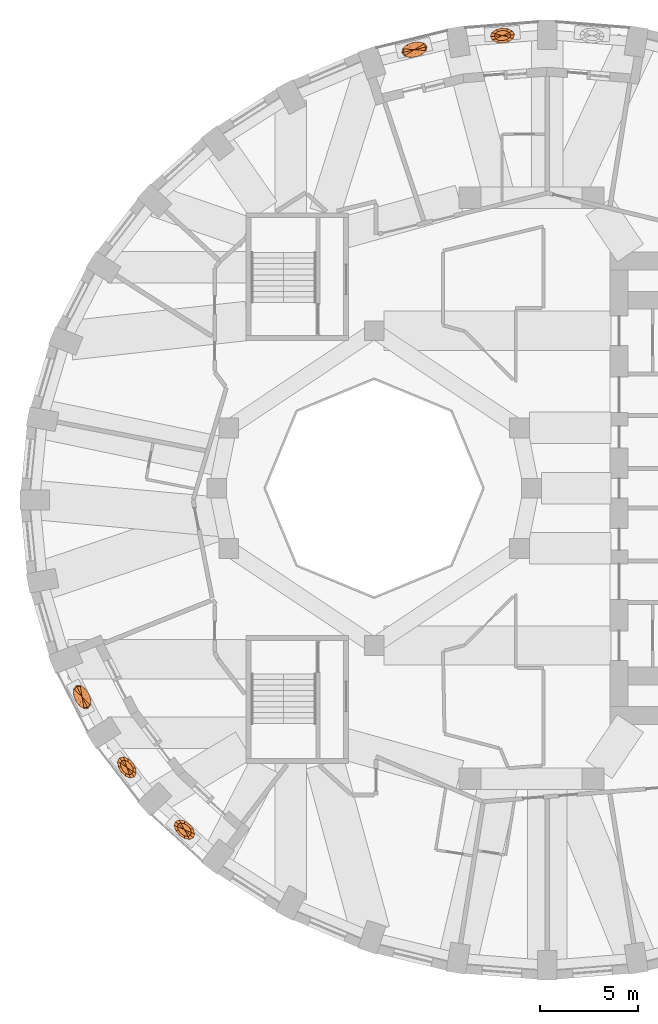
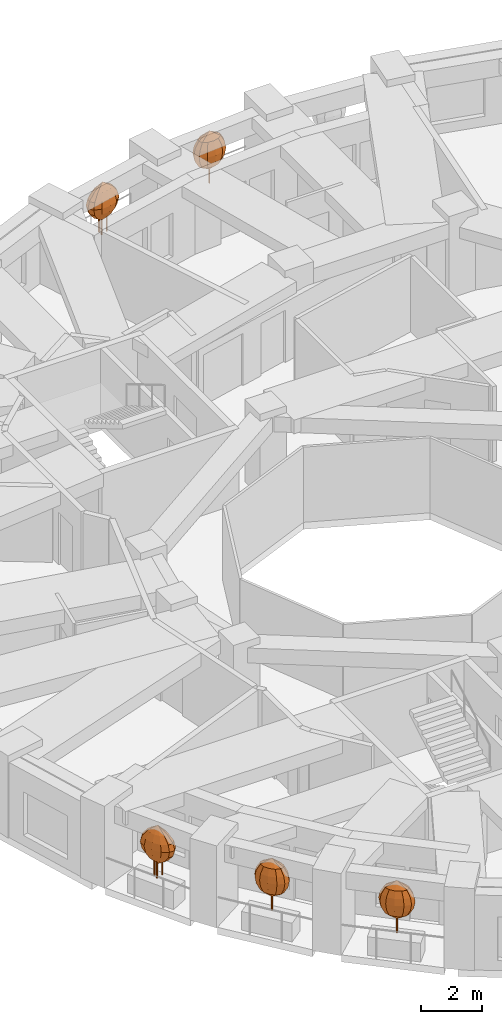
# One storey, part 11 of 12: 5 geographic elements.
"""IFC4 building model written with IfcOpenShell, lengths in metres."""

from ifc_helpers import new_model, si_unit, direction, frame, origin, place, context, subcontext, project, spatial, faceted_brep, material, constituent, constituent_set, type_object, element, save


model = new_model("IFC4")

# Units and contexts
model_context = context("Model", 3, precision=1e-05, world=origin(), true_north=direction((0.0, 1.0)))
body_context = subcontext(model_context, "Body", "Model", "MODEL_VIEW")
ifc_project = project(units=[si_unit("LENGTHUNIT", "METRE"), si_unit("AREAUNIT", "SQUARE_METRE"), si_unit("VOLUMEUNIT", "CUBIC_METRE"), si_unit("PLANEANGLEUNIT", "RADIAN"), si_unit("MASSUNIT", "GRAM", prefix="KILO")], contexts=[model_context])

# Site, building, storey
site_placement = place(None, origin())
site = spatial("IfcSite", under=ifc_project, at=site_placement, CompositionType="ELEMENT")
building_placement = place(site_placement, origin())
building = spatial("IfcBuilding", under=site, at=building_placement, Name="Taillehof Tower", CompositionType="ELEMENT")
storey_placement = place(building_placement, frame((0.0, 0.0, 95.5)))
storey = spatial("IfcBuildingStorey", under=building, at=storey_placement, Name="L26", CompositionType="ELEMENT", Elevation=95.5)

# Geographic elements
ifc_material_1 = material(Name="Tree bark", Category="timber")
ifc_constituent_1 = constituent(ifc_material_1, Name="Trunk", Category="timber")
ifc_material_2 = material(Name="Tree foliage")
ifc_constituent_2 = constituent(ifc_material_2, Name="Crown")
ifc_constituent_set_1 = constituent_set(constituents=[ifc_constituent_1, ifc_constituent_2], Name="Tree TR1 Columnar hornbeam")
geographic_element_type_1 = type_object("IfcGeographicElementType", Name="Tree TR1 Columnar hornbeam", PredefinedType="USERDEFINED", material=ifc_constituent_set_1)
geographic_element_1_placement = place(storey_placement, frame((-20.56689453125, -14.196044921875, 0.75)))
element("IfcGeographicElement", 1, at=geographic_element_1_placement, inside=storey, type_object=geographic_element_type_1, Name="Tree TR1 Columnar hornbeam", ObjectType="TREE", PredefinedType="USERDEFINED", context=body_context, shape_type="Brep", body=[
    faceted_brep([(0.030029296875, 0.0, 0.0), (0.021240234375, 0.021240234375, 0.0), (0.021240234375, 0.021240234375, 1.092529296875), (0.030029296875, 0.0, 1.092529296875), (0.0, 0.030029296875, 0.0), (0.0, 0.030029296875, 1.092529296875), (-0.021240234375, 0.021240234375, 0.0), (-0.021240234375, 0.021240234375, 1.092529296875), (-0.030029296875, 0.0, 0.0), (-0.030029296875, 0.0, 1.092529296875), (-0.021240234375, -0.021240234375, 0.0), (-0.021240234375, -0.021240234375, 1.092529296875), (0.0, -0.030029296875, 0.0), (0.0, -0.030029296875, 1.092529296875), (0.021240234375, -0.021240234375, 0.0), (0.021240234375, -0.021240234375, 1.092529296875)], [[[0, 1, 2, 3]], [[1, 4, 5, 2]], [[4, 6, 7, 5]], [[6, 8, 9, 7]], [[8, 10, 11, 9]], [[10, 12, 13, 11]], [[12, 14, 15, 13]], [[14, 0, 3, 15]], [[14, 12, 10, 8, 6, 4, 1, 0]], [[3, 2, 5, 7, 9, 11, 13, 15]]]),
    faceted_brep([(0.0, 0.0, 0.550048828125), (0.325927734375, -0.2099609375, 0.808349609375), (0.257568359375, -0.333984375, 0.808349609375), (0.306884765625, -0.02978515625, 0.808349609375), (0.20556640625, 0.158447265625, 0.808349609375), (0.04931640625, 0.30419921875, 0.808349609375), (-0.120361328125, 0.368408203125, 0.808349609375), (-0.257568359375, 0.333984375, 0.808349609375), (-0.325927734375, 0.2099609375, 0.808349609375), (-0.306884765625, 0.02978515625, 0.808349609375), (-0.20556640625, -0.158447265625, 0.808349609375), (-0.04931640625, -0.30419921875, 0.808349609375), (0.120361328125, -0.368408203125, 0.808349609375), (0.440673828125, -0.2841796875, 1.066650390625), (0.348388671875, -0.451904296875, 1.066650390625), (0.4150390625, -0.040283203125, 1.066650390625), (0.278076171875, 0.21435546875, 1.066650390625), (0.066650390625, 0.41162109375, 1.066650390625), (-0.16259765625, 0.49853515625, 1.066650390625), (-0.348388671875, 0.451904296875, 1.066650390625), (-0.440673828125, 0.2841796875, 1.066650390625), (-0.4150390625, 0.040283203125, 1.066650390625), (-0.278076171875, -0.21435546875, 1.066650390625), (-0.066650390625, -0.41162109375, 1.066650390625), (0.16259765625, -0.49853515625, 1.066650390625), (0.47705078125, -0.307373046875, 1.324951171875), (0.377197265625, -0.489013671875, 1.324951171875), (0.44921875, -0.04345703125, 1.324951171875), (0.301025390625, 0.23193359375, 1.324951171875), (0.072021484375, 0.445556640625, 1.324951171875), (-0.176025390625, 0.53955078125, 1.324951171875), (-0.377197265625, 0.489013671875, 1.324951171875), (-0.47705078125, 0.307373046875, 1.324951171875), (-0.44921875, 0.04345703125, 1.324951171875), (-0.301025390625, -0.23193359375, 1.324951171875), (-0.072021484375, -0.445556640625, 1.324951171875), (0.176025390625, -0.53955078125, 1.324951171875), (0.440673828125, -0.2841796875, 1.583251953125), (0.348388671875, -0.451904296875, 1.583251953125), (0.4150390625, -0.040283203125, 1.583251953125), (0.278076171875, 0.21435546875, 1.583251953125), (0.066650390625, 0.41162109375, 1.583251953125), (-0.16259765625, 0.49853515625, 1.583251953125), (-0.348388671875, 0.451904296875, 1.583251953125), (-0.440673828125, 0.2841796875, 1.583251953125), (-0.4150390625, 0.040283203125, 1.583251953125), (-0.278076171875, -0.21435546875, 1.583251953125), (-0.066650390625, -0.41162109375, 1.583251953125), (0.16259765625, -0.49853515625, 1.583251953125), (0.325927734375, -0.2099609375, 1.841552734375), (0.257568359375, -0.333984375, 1.841552734375), (0.306884765625, -0.02978515625, 1.841552734375), (0.20556640625, 0.158447265625, 1.841552734375), (0.04931640625, 0.30419921875, 1.841552734375), (-0.120361328125, 0.368408203125, 1.841552734375), (-0.257568359375, 0.333984375, 1.841552734375), (-0.325927734375, 0.2099609375, 1.841552734375), (-0.306884765625, 0.02978515625, 1.841552734375), (-0.20556640625, -0.158447265625, 1.841552734375), (-0.04931640625, -0.30419921875, 1.841552734375), (0.120361328125, -0.368408203125, 1.841552734375), (0.0, 0.0, 2.10009765625)], [[[0, 1, 2]], [[0, 3, 1]], [[0, 4, 3]], [[0, 5, 4]], [[0, 6, 5]], [[0, 7, 6]], [[0, 8, 7]], [[0, 9, 8]], [[0, 10, 9]], [[0, 11, 10]], [[0, 12, 11]], [[0, 2, 12]], [[2, 1, 13, 14]], [[1, 3, 15, 13]], [[3, 4, 16, 15]], [[4, 5, 17, 16]], [[5, 6, 18, 17]], [[6, 7, 19, 18]], [[7, 8, 20, 19]], [[8, 9, 21, 20]], [[9, 10, 22, 21]], [[10, 11, 23, 22]], [[11, 12, 24, 23]], [[12, 2, 14, 24]], [[14, 13, 25, 26]], [[13, 15, 27, 25]], [[15, 16, 28, 27]], [[16, 17, 29, 28]], [[17, 18, 30, 29]], [[18, 19, 31, 30]], [[19, 20, 32, 31]], [[20, 21, 33, 32]], [[21, 22, 34, 33]], [[22, 23, 35, 34]], [[23, 24, 36, 35]], [[24, 14, 26, 36]], [[26, 25, 37, 38]], [[25, 27, 39, 37]], [[27, 28, 40, 39]], [[28, 29, 41, 40]], [[29, 30, 42, 41]], [[30, 31, 43, 42]], [[31, 32, 44, 43]], [[32, 33, 45, 44]], [[33, 34, 46, 45]], [[34, 35, 47, 46]], [[35, 36, 48, 47]], [[36, 26, 38, 48]], [[38, 37, 49, 50]], [[37, 39, 51, 49]], [[39, 40, 52, 51]], [[40, 41, 53, 52]], [[41, 42, 54, 53]], [[42, 43, 55, 54]], [[43, 44, 56, 55]], [[44, 45, 57, 56]], [[45, 46, 58, 57]], [[46, 47, 59, 58]], [[47, 48, 60, 59]], [[48, 38, 50, 60]], [[50, 49, 61]], [[49, 51, 61]], [[51, 52, 61]], [[52, 53, 61]], [[53, 54, 61]], [[54, 55, 61]], [[55, 56, 61]], [[56, 57, 61]], [[57, 58, 61]], [[58, 59, 61]], [[59, 60, 61]], [[60, 50, 61]]]),
])
geographic_element_2_placement = place(storey_placement, frame((-17.643310546875, -17.360107421875, 0.75)))
element("IfcGeographicElement", 2, at=geographic_element_2_placement, inside=storey, type_object=geographic_element_type_1, Name="Tree TR1 Columnar hornbeam", ObjectType="TREE", PredefinedType="USERDEFINED", context=body_context, shape_type="Brep", body=[
    faceted_brep([(0.030029296875, 0.0, 0.0), (0.021240234375, 0.021240234375, 0.0), (0.021240234375, 0.021240234375, 1.092529296875), (0.030029296875, 0.0, 1.092529296875), (0.0, 0.030029296875, 0.0), (0.0, 0.030029296875, 1.092529296875), (-0.021240234375, 0.021240234375, 0.0), (-0.021240234375, 0.021240234375, 1.092529296875), (-0.030029296875, 0.0, 0.0), (-0.030029296875, 0.0, 1.092529296875), (-0.021240234375, -0.021240234375, 0.0), (-0.021240234375, -0.021240234375, 1.092529296875), (0.0, -0.030029296875, 0.0), (0.0, -0.030029296875, 1.092529296875), (0.021240234375, -0.021240234375, 0.0), (0.021240234375, -0.021240234375, 1.092529296875)], [[[0, 1, 2, 3]], [[1, 4, 5, 2]], [[4, 6, 7, 5]], [[6, 8, 9, 7]], [[8, 10, 11, 9]], [[10, 12, 13, 11]], [[12, 14, 15, 13]], [[14, 0, 3, 15]], [[14, 12, 10, 8, 6, 4, 1, 0]], [[3, 2, 5, 7, 9, 11, 13, 15]]]),
    faceted_brep([(0.0, 0.0, 0.550048828125), (0.357666015625, -0.1494140625, 0.808349609375), (0.312255859375, -0.283447265625, 0.808349609375), (0.30712890625, 0.024658203125, 0.808349609375), (0.174560546875, 0.192138671875, 0.808349609375), (-0.005126953125, 0.30810546875, 0.808349609375), (-0.18310546875, 0.341552734375, 0.808349609375), (-0.312255859375, 0.283447265625, 0.808349609375), (-0.357666015625, 0.1494140625, 0.808349609375), (-0.30712890625, -0.024658203125, 0.808349609375), (-0.174560546875, -0.192138671875, 0.808349609375), (0.005126953125, -0.30810546875, 0.808349609375), (0.18310546875, -0.341552734375, 0.808349609375), (0.48388671875, -0.2021484375, 1.066650390625), (0.42236328125, -0.383544921875, 1.066650390625), (0.41552734375, 0.033447265625, 1.066650390625), (0.236083984375, 0.260009765625, 1.066650390625), (-0.0068359375, 0.4169921875, 1.066650390625), (-0.247802734375, 0.462158203125, 1.066650390625), (-0.42236328125, 0.383544921875, 1.066650390625), (-0.48388671875, 0.2021484375, 1.066650390625), (-0.41552734375, -0.033447265625, 1.066650390625), (-0.236083984375, -0.260009765625, 1.066650390625), (0.0068359375, -0.4169921875, 1.066650390625), (0.247802734375, -0.462158203125, 1.066650390625), (0.523681640625, -0.21875, 1.324951171875), (0.457275390625, -0.4150390625, 1.324951171875), (0.44970703125, 0.0361328125, 1.324951171875), (0.25537109375, 0.28125, 1.324951171875), (-0.00732421875, 0.451171875, 1.324951171875), (-0.268310546875, 0.500244140625, 1.324951171875), (-0.457275390625, 0.4150390625, 1.324951171875), (-0.523681640625, 0.21875, 1.324951171875), (-0.44970703125, -0.0361328125, 1.324951171875), (-0.25537109375, -0.28125, 1.324951171875), (0.00732421875, -0.451171875, 1.324951171875), (0.268310546875, -0.500244140625, 1.324951171875), (0.48388671875, -0.2021484375, 1.583251953125), (0.42236328125, -0.383544921875, 1.583251953125), (0.41552734375, 0.033447265625, 1.583251953125), (0.236083984375, 0.260009765625, 1.583251953125), (-0.0068359375, 0.4169921875, 1.583251953125), (-0.247802734375, 0.462158203125, 1.583251953125), (-0.42236328125, 0.383544921875, 1.583251953125), (-0.48388671875, 0.2021484375, 1.583251953125), (-0.41552734375, -0.033447265625, 1.583251953125), (-0.236083984375, -0.260009765625, 1.583251953125), (0.0068359375, -0.4169921875, 1.583251953125), (0.247802734375, -0.462158203125, 1.583251953125), (0.357666015625, -0.1494140625, 1.841552734375), (0.312255859375, -0.283447265625, 1.841552734375), (0.30712890625, 0.024658203125, 1.841552734375), (0.174560546875, 0.192138671875, 1.841552734375), (-0.005126953125, 0.30810546875, 1.841552734375), (-0.18310546875, 0.341552734375, 1.841552734375), (-0.312255859375, 0.283447265625, 1.841552734375), (-0.357666015625, 0.1494140625, 1.841552734375), (-0.30712890625, -0.024658203125, 1.841552734375), (-0.174560546875, -0.192138671875, 1.841552734375), (0.005126953125, -0.30810546875, 1.841552734375), (0.18310546875, -0.341552734375, 1.841552734375), (0.0, 0.0, 2.10009765625)], [[[0, 1, 2]], [[0, 3, 1]], [[0, 4, 3]], [[0, 5, 4]], [[0, 6, 5]], [[0, 7, 6]], [[0, 8, 7]], [[0, 9, 8]], [[0, 10, 9]], [[0, 11, 10]], [[0, 12, 11]], [[0, 2, 12]], [[2, 1, 13, 14]], [[1, 3, 15, 13]], [[3, 4, 16, 15]], [[4, 5, 17, 16]], [[5, 6, 18, 17]], [[6, 7, 19, 18]], [[7, 8, 20, 19]], [[8, 9, 21, 20]], [[9, 10, 22, 21]], [[10, 11, 23, 22]], [[11, 12, 24, 23]], [[12, 2, 14, 24]], [[14, 13, 25, 26]], [[13, 15, 27, 25]], [[15, 16, 28, 27]], [[16, 17, 29, 28]], [[17, 18, 30, 29]], [[18, 19, 31, 30]], [[19, 20, 32, 31]], [[20, 21, 33, 32]], [[21, 22, 34, 33]], [[22, 23, 35, 34]], [[23, 24, 36, 35]], [[24, 14, 26, 36]], [[26, 25, 37, 38]], [[25, 27, 39, 37]], [[27, 28, 40, 39]], [[28, 29, 41, 40]], [[29, 30, 42, 41]], [[30, 31, 43, 42]], [[31, 32, 44, 43]], [[32, 33, 45, 44]], [[33, 34, 46, 45]], [[34, 35, 47, 46]], [[35, 36, 48, 47]], [[36, 26, 38, 48]], [[38, 37, 49, 50]], [[37, 39, 51, 49]], [[39, 40, 52, 51]], [[40, 41, 53, 52]], [[41, 42, 54, 53]], [[42, 43, 55, 54]], [[43, 44, 56, 55]], [[44, 45, 57, 56]], [[45, 46, 58, 57]], [[46, 47, 59, 58]], [[47, 48, 60, 59]], [[48, 38, 50, 60]], [[50, 49, 61]], [[49, 51, 61]], [[51, 52, 61]], [[52, 53, 61]], [[53, 54, 61]], [[54, 55, 61]], [[55, 56, 61]], [[56, 57, 61]], [[57, 58, 61]], [[58, 59, 61]], [[59, 60, 61]], [[60, 50, 61]]]),
])
geographic_element_3_placement = place(storey_placement, frame((-1.472900390625, 23.007568359375, 0.75)))
element("IfcGeographicElement", 3, at=geographic_element_3_placement, inside=storey, type_object=geographic_element_type_1, Name="Tree TR1 Columnar hornbeam", ObjectType="TREE", PredefinedType="USERDEFINED", context=body_context, shape_type="Brep", body=[
    faceted_brep([(0.030029296875, 0.0, 0.0), (0.021240234375, 0.021240234375, 0.0), (0.021240234375, 0.021240234375, 1.092529296875), (0.030029296875, 0.0, 1.092529296875), (0.0, 0.030029296875, 0.0), (0.0, 0.030029296875, 1.092529296875), (-0.021240234375, 0.021240234375, 0.0), (-0.021240234375, 0.021240234375, 1.092529296875), (-0.030029296875, 0.0, 0.0), (-0.030029296875, 0.0, 1.092529296875), (-0.021240234375, -0.021240234375, 0.0), (-0.021240234375, -0.021240234375, 1.092529296875), (0.0, -0.030029296875, 0.0), (0.0, -0.030029296875, 1.092529296875), (0.021240234375, -0.021240234375, 0.0), (0.021240234375, -0.021240234375, 1.092529296875)], [[[0, 1, 2, 3]], [[1, 4, 5, 2]], [[4, 6, 7, 5]], [[6, 8, 9, 7]], [[8, 10, 11, 9]], [[10, 12, 13, 11]], [[12, 14, 15, 13]], [[14, 0, 3, 15]], [[14, 12, 10, 8, 6, 4, 1, 0]], [[3, 2, 5, 7, 9, 11, 13, 15]]]),
    faceted_brep([(0.0, 0.0, 0.550048828125), (-0.353759765625, -0.158203125, 0.808349609375), (-0.42041015625, -0.033447265625, 0.808349609375), (-0.1923828125, -0.24072265625, 0.808349609375), (0.0205078125, -0.2587890625, 0.808349609375), (0.22802734375, -0.207275390625, 0.808349609375), (0.374267578125, -0.100341796875, 0.808349609375), (0.42041015625, 0.033447265625, 0.808349609375), (0.353759765625, 0.158203125, 0.808349609375), (0.1923828125, 0.24072265625, 0.808349609375), (-0.0205078125, 0.2587890625, 0.808349609375), (-0.22802734375, 0.207275390625, 0.808349609375), (-0.374267578125, 0.100341796875, 0.808349609375), (-0.478759765625, -0.214111328125, 1.066650390625), (-0.56884765625, -0.045166015625, 1.066650390625), (-0.26025390625, -0.32568359375, 1.066650390625), (0.02783203125, -0.35009765625, 1.066650390625), (0.308349609375, -0.280517578125, 1.066650390625), (0.50634765625, -0.135986328125, 1.066650390625), (0.56884765625, 0.045166015625, 1.066650390625), (0.478759765625, 0.214111328125, 1.066650390625), (0.26025390625, 0.32568359375, 1.066650390625), (-0.02783203125, 0.35009765625, 1.066650390625), (-0.308349609375, 0.280517578125, 1.066650390625), (-0.50634765625, 0.135986328125, 1.066650390625), (-0.51806640625, -0.231689453125, 1.324951171875), (-0.615478515625, -0.048828125, 1.324951171875), (-0.28173828125, -0.3525390625, 1.324951171875), (0.030029296875, -0.37890625, 1.324951171875), (0.333740234375, -0.3037109375, 1.324951171875), (0.548095703125, -0.14697265625, 1.324951171875), (0.615478515625, 0.048828125, 1.324951171875), (0.51806640625, 0.231689453125, 1.324951171875), (0.28173828125, 0.3525390625, 1.324951171875), (-0.030029296875, 0.37890625, 1.324951171875), (-0.333740234375, 0.3037109375, 1.324951171875), (-0.548095703125, 0.14697265625, 1.324951171875), (-0.478759765625, -0.214111328125, 1.583251953125), (-0.56884765625, -0.045166015625, 1.583251953125), (-0.26025390625, -0.32568359375, 1.583251953125), (0.02783203125, -0.35009765625, 1.583251953125), (0.308349609375, -0.280517578125, 1.583251953125), (0.50634765625, -0.135986328125, 1.583251953125), (0.56884765625, 0.045166015625, 1.583251953125), (0.478759765625, 0.214111328125, 1.583251953125), (0.26025390625, 0.32568359375, 1.583251953125), (-0.02783203125, 0.35009765625, 1.583251953125), (-0.308349609375, 0.280517578125, 1.583251953125), (-0.50634765625, 0.135986328125, 1.583251953125), (-0.353759765625, -0.158203125, 1.841552734375), (-0.42041015625, -0.033447265625, 1.841552734375), (-0.1923828125, -0.24072265625, 1.841552734375), (0.0205078125, -0.2587890625, 1.841552734375), (0.22802734375, -0.207275390625, 1.841552734375), (0.374267578125, -0.100341796875, 1.841552734375), (0.42041015625, 0.033447265625, 1.841552734375), (0.353759765625, 0.158203125, 1.841552734375), (0.1923828125, 0.24072265625, 1.841552734375), (-0.0205078125, 0.2587890625, 1.841552734375), (-0.22802734375, 0.207275390625, 1.841552734375), (-0.374267578125, 0.100341796875, 1.841552734375), (0.0, 0.0, 2.10009765625)], [[[0, 1, 2]], [[0, 3, 1]], [[0, 4, 3]], [[0, 5, 4]], [[0, 6, 5]], [[0, 7, 6]], [[0, 8, 7]], [[0, 9, 8]], [[0, 10, 9]], [[0, 11, 10]], [[0, 12, 11]], [[0, 2, 12]], [[2, 1, 13, 14]], [[1, 3, 15, 13]], [[3, 4, 16, 15]], [[4, 5, 17, 16]], [[5, 6, 18, 17]], [[6, 7, 19, 18]], [[7, 8, 20, 19]], [[8, 9, 21, 20]], [[9, 10, 22, 21]], [[10, 11, 23, 22]], [[11, 12, 24, 23]], [[12, 2, 14, 24]], [[14, 13, 25, 26]], [[13, 15, 27, 25]], [[15, 16, 28, 27]], [[16, 17, 29, 28]], [[17, 18, 30, 29]], [[18, 19, 31, 30]], [[19, 20, 32, 31]], [[20, 21, 33, 32]], [[21, 22, 34, 33]], [[22, 23, 35, 34]], [[23, 24, 36, 35]], [[24, 14, 26, 36]], [[26, 25, 37, 38]], [[25, 27, 39, 37]], [[27, 28, 40, 39]], [[28, 29, 41, 40]], [[29, 30, 42, 41]], [[30, 31, 43, 42]], [[31, 32, 44, 43]], [[32, 33, 45, 44]], [[33, 34, 46, 45]], [[34, 35, 47, 46]], [[35, 36, 48, 47]], [[36, 26, 38, 48]], [[38, 37, 49, 50]], [[37, 39, 51, 49]], [[39, 40, 52, 51]], [[40, 41, 53, 52]], [[41, 42, 54, 53]], [[42, 43, 55, 54]], [[43, 44, 56, 55]], [[44, 45, 57, 56]], [[45, 46, 58, 57]], [[46, 47, 59, 58]], [[47, 48, 60, 59]], [[48, 38, 50, 60]], [[50, 49, 61]], [[49, 51, 61]], [[51, 52, 61]], [[52, 53, 61]], [[53, 54, 61]], [[54, 55, 61]], [[55, 56, 61]], [[56, 57, 61]], [[57, 58, 61]], [[58, 59, 61]], [[59, 60, 61]], [[60, 50, 61]]]),
])
ifc_material_3 = material(Name="Tree bark", Category="timber")
ifc_constituent_3 = constituent(ifc_material_3, Name="Trunk", Category="timber")
ifc_material_4 = material(Name="Tree foliage")
ifc_constituent_4 = constituent(ifc_material_4, Name="Crown")
ifc_constituent_set_2 = constituent_set(constituents=[ifc_constituent_3, ifc_constituent_4], Name="Tree TR3 Multi-stem serviceberry")
geographic_element_type_2 = type_object("IfcGeographicElementType", Name="Tree TR3 Multi-stem serviceberry", PredefinedType="USERDEFINED", material=ifc_constituent_set_2)
geographic_element_4_placement = place(storey_placement, frame((-22.841796875, -10.618408203125, 0.75)))
element("IfcGeographicElement", 4, at=geographic_element_4_placement, inside=storey, type_object=geographic_element_type_2, Name="Tree TR3 Multi-stem serviceberry", ObjectType="TREE", PredefinedType="USERDEFINED", context=body_context, shape_type="Brep", body=[
    faceted_brep([(0.195068359375, 0.0, 0.0), (0.186767578125, 0.0205078125, 0.0), (0.186767578125, 0.0205078125, 1.04248046875), (0.195068359375, 0.0, 1.04248046875), (0.166259765625, 0.02880859375, 0.0), (0.166259765625, 0.02880859375, 1.04248046875), (0.145751953125, 0.0205078125, 0.0), (0.145751953125, 0.0205078125, 1.04248046875), (0.137451171875, 0.0, 0.0), (0.137451171875, 0.0, 1.04248046875), (0.145751953125, -0.0205078125, 0.0), (0.145751953125, -0.0205078125, 1.04248046875), (0.166259765625, -0.02880859375, 0.0), (0.166259765625, -0.02880859375, 1.04248046875), (0.186767578125, -0.0205078125, 0.0), (0.186767578125, -0.0205078125, 1.04248046875)], [[[0, 1, 2, 3]], [[1, 4, 5, 2]], [[4, 6, 7, 5]], [[6, 8, 9, 7]], [[8, 10, 11, 9]], [[10, 12, 13, 11]], [[12, 14, 15, 13]], [[14, 0, 3, 15]], [[14, 12, 10, 8, 6, 4, 1, 0]], [[3, 2, 5, 7, 9, 11, 13, 15]]]),
    faceted_brep([(-0.05419921875, 0.082275390625, 0.0), (-0.062744140625, 0.102783203125, 0.0), (-0.062744140625, 0.102783203125, 1.04248046875), (-0.05419921875, 0.082275390625, 1.04248046875), (-0.0830078125, 0.111083984375, 0.0), (-0.0830078125, 0.111083984375, 1.04248046875), (-0.103515625, 0.102783203125, 0.0), (-0.103515625, 0.102783203125, 1.04248046875), (-0.112060546875, 0.082275390625, 0.0), (-0.112060546875, 0.082275390625, 1.04248046875), (-0.103515625, 0.061767578125, 0.0), (-0.103515625, 0.061767578125, 1.04248046875), (-0.0830078125, 0.053466796875, 0.0), (-0.0830078125, 0.053466796875, 1.04248046875), (-0.062744140625, 0.061767578125, 0.0), (-0.062744140625, 0.061767578125, 1.04248046875)], [[[0, 1, 2, 3]], [[1, 4, 5, 2]], [[4, 6, 7, 5]], [[6, 8, 9, 7]], [[8, 10, 11, 9]], [[10, 12, 13, 11]], [[12, 14, 15, 13]], [[14, 0, 3, 15]], [[14, 12, 10, 8, 6, 4, 1, 0]], [[3, 2, 5, 7, 9, 11, 13, 15]]]),
    faceted_brep([(-0.05419921875, -0.082275390625, 0.0), (-0.062744140625, -0.061767578125, 0.0), (-0.062744140625, -0.061767578125, 1.04248046875), (-0.05419921875, -0.082275390625, 1.04248046875), (-0.0830078125, -0.053466796875, 0.0), (-0.0830078125, -0.053466796875, 1.04248046875), (-0.103515625, -0.061767578125, 0.0), (-0.103515625, -0.061767578125, 1.04248046875), (-0.112060546875, -0.082275390625, 0.0), (-0.112060546875, -0.082275390625, 1.04248046875), (-0.103515625, -0.102783203125, 0.0), (-0.103515625, -0.102783203125, 1.04248046875), (-0.0830078125, -0.111083984375, 0.0), (-0.0830078125, -0.111083984375, 1.04248046875), (-0.062744140625, -0.102783203125, 0.0), (-0.062744140625, -0.102783203125, 1.04248046875)], [[[0, 1, 2, 3]], [[1, 4, 5, 2]], [[4, 6, 7, 5]], [[6, 8, 9, 7]], [[8, 10, 11, 9]], [[10, 12, 13, 11]], [[12, 14, 15, 13]], [[14, 0, 3, 15]], [[14, 12, 10, 8, 6, 4, 1, 0]], [[3, 2, 5, 7, 9, 11, 13, 15]]]),
    faceted_brep([(0.0, 0.0, 0.5), (0.248291015625, -0.244384765625, 0.75830078125), (0.174560546875, -0.33984375, 0.75830078125), (0.25537109375, -0.08349609375, 0.75830078125), (0.194091796875, 0.099609375, 0.75830078125), (0.080810546875, 0.25634765625, 0.75830078125), (-0.053955078125, 0.343994140625, 0.75830078125), (-0.174560546875, 0.33984375, 0.75830078125), (-0.248291015625, 0.244384765625, 0.75830078125), (-0.25537109375, 0.08349609375, 0.75830078125), (-0.194091796875, -0.099609375, 0.75830078125), (-0.080810546875, -0.25634765625, 0.75830078125), (0.053955078125, -0.343994140625, 0.75830078125), (0.38525390625, -0.379150390625, 1.0166015625), (0.270751953125, -0.52734375, 1.0166015625), (0.396240234375, -0.129638671875, 1.0166015625), (0.30126953125, 0.15478515625, 1.0166015625), (0.12548828125, 0.397705078125, 1.0166015625), (-0.083740234375, 0.533935546875, 1.0166015625), (-0.270751953125, 0.52734375, 1.0166015625), (-0.38525390625, 0.379150390625, 1.0166015625), (-0.396240234375, 0.129638671875, 1.0166015625), (-0.30126953125, -0.15478515625, 1.0166015625), (-0.12548828125, -0.397705078125, 1.0166015625), (0.083740234375, -0.533935546875, 1.0166015625), (0.43212890625, -0.425537109375, 1.27490234375), (0.3037109375, -0.591552734375, 1.27490234375), (0.444580078125, -0.1455078125, 1.27490234375), (0.338134765625, 0.173583984375, 1.27490234375), (0.140869140625, 0.446044921875, 1.27490234375), (-0.093994140625, 0.59912109375, 1.27490234375), (-0.3037109375, 0.591552734375, 1.27490234375), (-0.43212890625, 0.425537109375, 1.27490234375), (-0.444580078125, 0.1455078125, 1.27490234375), (-0.338134765625, -0.173583984375, 1.27490234375), (-0.140869140625, -0.446044921875, 1.27490234375), (0.093994140625, -0.59912109375, 1.27490234375), (0.38525390625, -0.379150390625, 1.533447265625), (0.270751953125, -0.52734375, 1.533447265625), (0.396240234375, -0.129638671875, 1.533447265625), (0.30126953125, 0.15478515625, 1.533447265625), (0.12548828125, 0.397705078125, 1.533447265625), (-0.083740234375, 0.533935546875, 1.533447265625), (-0.270751953125, 0.52734375, 1.533447265625), (-0.38525390625, 0.379150390625, 1.533447265625), (-0.396240234375, 0.129638671875, 1.533447265625), (-0.30126953125, -0.15478515625, 1.533447265625), (-0.12548828125, -0.397705078125, 1.533447265625), (0.083740234375, -0.533935546875, 1.533447265625), (0.248291015625, -0.244384765625, 1.791748046875), (0.174560546875, -0.33984375, 1.791748046875), (0.25537109375, -0.08349609375, 1.791748046875), (0.194091796875, 0.099609375, 1.791748046875), (0.080810546875, 0.25634765625, 1.791748046875), (-0.053955078125, 0.343994140625, 1.791748046875), (-0.174560546875, 0.33984375, 1.791748046875), (-0.248291015625, 0.244384765625, 1.791748046875), (-0.25537109375, 0.08349609375, 1.791748046875), (-0.194091796875, -0.099609375, 1.791748046875), (-0.080810546875, -0.25634765625, 1.791748046875), (0.053955078125, -0.343994140625, 1.791748046875), (0.0, 0.0, 2.050048828125)], [[[0, 1, 2]], [[0, 3, 1]], [[0, 4, 3]], [[0, 5, 4]], [[0, 6, 5]], [[0, 7, 6]], [[0, 8, 7]], [[0, 9, 8]], [[0, 10, 9]], [[0, 11, 10]], [[0, 12, 11]], [[0, 2, 12]], [[2, 1, 13, 14]], [[1, 3, 15, 13]], [[3, 4, 16, 15]], [[4, 5, 17, 16]], [[5, 6, 18, 17]], [[6, 7, 19, 18]], [[7, 8, 20, 19]], [[8, 9, 21, 20]], [[9, 10, 22, 21]], [[10, 11, 23, 22]], [[11, 12, 24, 23]], [[12, 2, 14, 24]], [[14, 13, 25, 26]], [[13, 15, 27, 25]], [[15, 16, 28, 27]], [[16, 17, 29, 28]], [[17, 18, 30, 29]], [[18, 19, 31, 30]], [[19, 20, 32, 31]], [[20, 21, 33, 32]], [[21, 22, 34, 33]], [[22, 23, 35, 34]], [[23, 24, 36, 35]], [[24, 14, 26, 36]], [[26, 25, 37, 38]], [[25, 27, 39, 37]], [[27, 28, 40, 39]], [[28, 29, 41, 40]], [[29, 30, 42, 41]], [[30, 31, 43, 42]], [[31, 32, 44, 43]], [[32, 33, 45, 44]], [[33, 34, 46, 45]], [[34, 35, 47, 46]], [[35, 36, 48, 47]], [[36, 26, 38, 48]], [[38, 37, 49, 50]], [[37, 39, 51, 49]], [[39, 40, 52, 51]], [[40, 41, 53, 52]], [[41, 42, 54, 53]], [[42, 43, 55, 54]], [[43, 44, 56, 55]], [[44, 45, 57, 56]], [[45, 46, 58, 57]], [[46, 47, 59, 58]], [[47, 48, 60, 59]], [[48, 38, 50, 60]], [[50, 49, 61]], [[49, 51, 61]], [[51, 52, 61]], [[52, 53, 61]], [[53, 54, 61]], [[54, 55, 61]], [[55, 56, 61]], [[56, 57, 61]], [[57, 58, 61]], [[58, 59, 61]], [[59, 60, 61]], [[60, 50, 61]]]),
])
geographic_element_5_placement = place(storey_placement, frame((-5.94970703125, 22.290771484375, 0.75)))
element("IfcGeographicElement", 5, at=geographic_element_5_placement, inside=storey, type_object=geographic_element_type_2, Name="Tree TR3 Multi-stem serviceberry", ObjectType="TREE", PredefinedType="USERDEFINED", context=body_context, shape_type="Brep", body=[
    faceted_brep([(0.195068359375, 0.0, 0.0), (0.186767578125, 0.0205078125, 0.0), (0.186767578125, 0.0205078125, 1.04248046875), (0.195068359375, 0.0, 1.04248046875), (0.166259765625, 0.02880859375, 0.0), (0.166259765625, 0.02880859375, 1.04248046875), (0.145751953125, 0.0205078125, 0.0), (0.145751953125, 0.0205078125, 1.04248046875), (0.137451171875, 0.0, 0.0), (0.137451171875, 0.0, 1.04248046875), (0.145751953125, -0.0205078125, 0.0), (0.145751953125, -0.0205078125, 1.04248046875), (0.166259765625, -0.02880859375, 0.0), (0.166259765625, -0.02880859375, 1.04248046875), (0.186767578125, -0.0205078125, 0.0), (0.186767578125, -0.0205078125, 1.04248046875)], [[[0, 1, 2, 3]], [[1, 4, 5, 2]], [[4, 6, 7, 5]], [[6, 8, 9, 7]], [[8, 10, 11, 9]], [[10, 12, 13, 11]], [[12, 14, 15, 13]], [[14, 0, 3, 15]], [[14, 12, 10, 8, 6, 4, 1, 0]], [[3, 2, 5, 7, 9, 11, 13, 15]]]),
    faceted_brep([(-0.05419921875, 0.082275390625, 0.0), (-0.062744140625, 0.102783203125, 0.0), (-0.062744140625, 0.102783203125, 1.04248046875), (-0.05419921875, 0.082275390625, 1.04248046875), (-0.0830078125, 0.111083984375, 0.0), (-0.0830078125, 0.111083984375, 1.04248046875), (-0.103515625, 0.102783203125, 0.0), (-0.103515625, 0.102783203125, 1.04248046875), (-0.112060546875, 0.082275390625, 0.0), (-0.112060546875, 0.082275390625, 1.04248046875), (-0.103515625, 0.061767578125, 0.0), (-0.103515625, 0.061767578125, 1.04248046875), (-0.0830078125, 0.053466796875, 0.0), (-0.0830078125, 0.053466796875, 1.04248046875), (-0.062744140625, 0.061767578125, 0.0), (-0.062744140625, 0.061767578125, 1.04248046875)], [[[0, 1, 2, 3]], [[1, 4, 5, 2]], [[4, 6, 7, 5]], [[6, 8, 9, 7]], [[8, 10, 11, 9]], [[10, 12, 13, 11]], [[12, 14, 15, 13]], [[14, 0, 3, 15]], [[14, 12, 10, 8, 6, 4, 1, 0]], [[3, 2, 5, 7, 9, 11, 13, 15]]]),
    faceted_brep([(-0.05419921875, -0.082275390625, 0.0), (-0.062744140625, -0.061767578125, 0.0), (-0.062744140625, -0.061767578125, 1.04248046875), (-0.05419921875, -0.082275390625, 1.04248046875), (-0.0830078125, -0.053466796875, 0.0), (-0.0830078125, -0.053466796875, 1.04248046875), (-0.103515625, -0.061767578125, 0.0), (-0.103515625, -0.061767578125, 1.04248046875), (-0.112060546875, -0.082275390625, 0.0), (-0.112060546875, -0.082275390625, 1.04248046875), (-0.103515625, -0.102783203125, 0.0), (-0.103515625, -0.102783203125, 1.04248046875), (-0.0830078125, -0.111083984375, 0.0), (-0.0830078125, -0.111083984375, 1.04248046875), (-0.062744140625, -0.102783203125, 0.0), (-0.062744140625, -0.102783203125, 1.04248046875)], [[[0, 1, 2, 3]], [[1, 4, 5, 2]], [[4, 6, 7, 5]], [[6, 8, 9, 7]], [[8, 10, 11, 9]], [[10, 12, 13, 11]], [[12, 14, 15, 13]], [[14, 0, 3, 15]], [[14, 12, 10, 8, 6, 4, 1, 0]], [[3, 2, 5, 7, 9, 11, 13, 15]]]),
    faceted_brep([(0.0, 0.0, 0.5), (-0.295654296875, -0.184326171875, 0.75830078125), (-0.37109375, -0.09033203125, 0.75830078125), (-0.140869140625, -0.228759765625, 0.75830078125), (0.051513671875, -0.212158203125, 0.75830078125), (0.230224609375, -0.138427734375, 0.75830078125), (0.34716796875, -0.02783203125, 0.75830078125), (0.37109375, 0.09033203125, 0.75830078125), (0.295654296875, 0.184326171875, 0.75830078125), (0.140869140625, 0.228759765625, 0.75830078125), (-0.051513671875, 0.212158203125, 0.75830078125), (-0.230224609375, 0.138427734375, 0.75830078125), (-0.34716796875, 0.02783203125, 0.75830078125), (-0.458740234375, -0.285888671875, 1.0166015625), (-0.575927734375, -0.14013671875, 1.0166015625), (-0.218505859375, -0.35498046875, 1.0166015625), (0.080078125, -0.3291015625, 1.0166015625), (0.357177734375, -0.21484375, 1.0166015625), (0.538818359375, -0.043212890625, 1.0166015625), (0.575927734375, 0.14013671875, 1.0166015625), (0.458740234375, 0.285888671875, 1.0166015625), (0.218505859375, 0.35498046875, 1.0166015625), (-0.080078125, 0.3291015625, 1.0166015625), (-0.357177734375, 0.21484375, 1.0166015625), (-0.538818359375, 0.043212890625, 1.0166015625), (-0.5146484375, -0.32080078125, 1.27490234375), (-0.646240234375, -0.1572265625, 1.27490234375), (-0.245361328125, -0.3984375, 1.27490234375), (0.08984375, -0.369140625, 1.27490234375), (0.40087890625, -0.2412109375, 1.27490234375), (0.6044921875, -0.048583984375, 1.27490234375), (0.646240234375, 0.1572265625, 1.27490234375), (0.5146484375, 0.32080078125, 1.27490234375), (0.245361328125, 0.3984375, 1.27490234375), (-0.08984375, 0.369140625, 1.27490234375), (-0.40087890625, 0.2412109375, 1.27490234375), (-0.6044921875, 0.048583984375, 1.27490234375), (-0.458740234375, -0.285888671875, 1.533447265625), (-0.575927734375, -0.14013671875, 1.533447265625), (-0.218505859375, -0.35498046875, 1.533447265625), (0.080078125, -0.3291015625, 1.533447265625), (0.357177734375, -0.21484375, 1.533447265625), (0.538818359375, -0.043212890625, 1.533447265625), (0.575927734375, 0.14013671875, 1.533447265625), (0.458740234375, 0.285888671875, 1.533447265625), (0.218505859375, 0.35498046875, 1.533447265625), (-0.080078125, 0.3291015625, 1.533447265625), (-0.357177734375, 0.21484375, 1.533447265625), (-0.538818359375, 0.043212890625, 1.533447265625), (-0.295654296875, -0.184326171875, 1.791748046875), (-0.37109375, -0.09033203125, 1.791748046875), (-0.140869140625, -0.228759765625, 1.791748046875), (0.051513671875, -0.212158203125, 1.791748046875), (0.230224609375, -0.138427734375, 1.791748046875), (0.34716796875, -0.02783203125, 1.791748046875), (0.37109375, 0.09033203125, 1.791748046875), (0.295654296875, 0.184326171875, 1.791748046875), (0.140869140625, 0.228759765625, 1.791748046875), (-0.051513671875, 0.212158203125, 1.791748046875), (-0.230224609375, 0.138427734375, 1.791748046875), (-0.34716796875, 0.02783203125, 1.791748046875), (0.0, 0.0, 2.050048828125)], [[[0, 1, 2]], [[0, 3, 1]], [[0, 4, 3]], [[0, 5, 4]], [[0, 6, 5]], [[0, 7, 6]], [[0, 8, 7]], [[0, 9, 8]], [[0, 10, 9]], [[0, 11, 10]], [[0, 12, 11]], [[0, 2, 12]], [[2, 1, 13, 14]], [[1, 3, 15, 13]], [[3, 4, 16, 15]], [[4, 5, 17, 16]], [[5, 6, 18, 17]], [[6, 7, 19, 18]], [[7, 8, 20, 19]], [[8, 9, 21, 20]], [[9, 10, 22, 21]], [[10, 11, 23, 22]], [[11, 12, 24, 23]], [[12, 2, 14, 24]], [[14, 13, 25, 26]], [[13, 15, 27, 25]], [[15, 16, 28, 27]], [[16, 17, 29, 28]], [[17, 18, 30, 29]], [[18, 19, 31, 30]], [[19, 20, 32, 31]], [[20, 21, 33, 32]], [[21, 22, 34, 33]], [[22, 23, 35, 34]], [[23, 24, 36, 35]], [[24, 14, 26, 36]], [[26, 25, 37, 38]], [[25, 27, 39, 37]], [[27, 28, 40, 39]], [[28, 29, 41, 40]], [[29, 30, 42, 41]], [[30, 31, 43, 42]], [[31, 32, 44, 43]], [[32, 33, 45, 44]], [[33, 34, 46, 45]], [[34, 35, 47, 46]], [[35, 36, 48, 47]], [[36, 26, 38, 48]], [[38, 37, 49, 50]], [[37, 39, 51, 49]], [[39, 40, 52, 51]], [[40, 41, 53, 52]], [[41, 42, 54, 53]], [[42, 43, 55, 54]], [[43, 44, 56, 55]], [[44, 45, 57, 56]], [[45, 46, 58, 57]], [[46, 47, 59, 58]], [[47, 48, 60, 59]], [[48, 38, 50, 60]], [[50, 49, 61]], [[49, 51, 61]], [[51, 52, 61]], [[52, 53, 61]], [[53, 54, 61]], [[54, 55, 61]], [[55, 56, 61]], [[56, 57, 61]], [[57, 58, 61]], [[58, 59, 61]], [[59, 60, 61]], [[60, 50, 61]]]),
])

save(model, "model.ifc")
